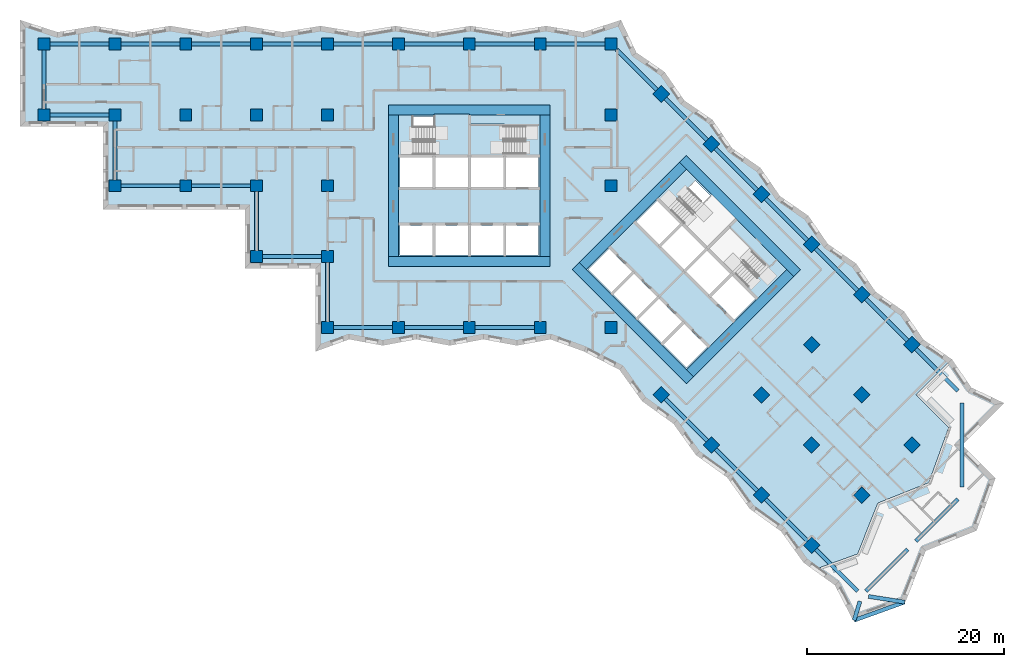
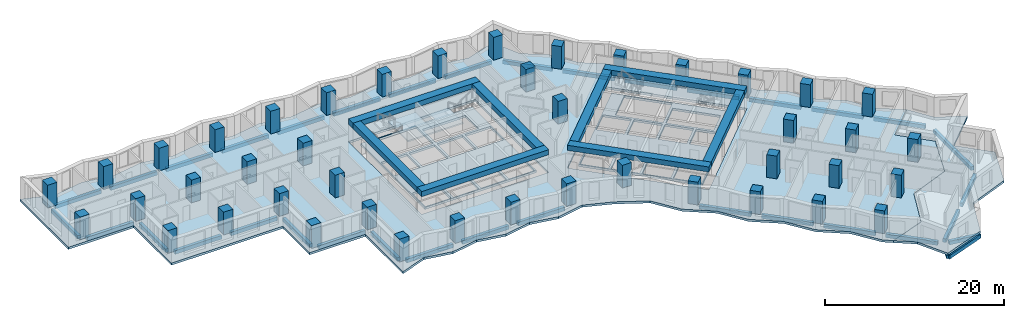
# One storey, part 1 of 13: 44 beams, 43 columns, 6 slabs, 22 openings, 2 elements without a shape of their own.
"""IFC4 building model written with IfcOpenShell, lengths in metres."""

from ifc_helpers import new_model, si_unit, direction, frame, origin, origin_2d, place, context, subcontext, project, spatial, polyline, rectangle, outline, extrude, material, layer, layer_set, material_profile, profile_set, type_object, element, aggregate, save


model = new_model("IFC4")

# Units and contexts
model_context = context("Model", 3, precision=1e-05, world=origin(), true_north=direction((0.0, 1.0)))
body_context = subcontext(model_context, "Body", "Model", "MODEL_VIEW")
ifc_project = project(units=[si_unit("LENGTHUNIT", "METRE"), si_unit("AREAUNIT", "SQUARE_METRE"), si_unit("VOLUMEUNIT", "CUBIC_METRE"), si_unit("PLANEANGLEUNIT", "RADIAN"), si_unit("MASSUNIT", "GRAM", prefix="KILO")], contexts=[model_context])

# Site, building, storey
site_placement = place(None, origin())
site = spatial("IfcSite", under=ifc_project, at=site_placement, CompositionType="ELEMENT")
building_placement = place(site_placement, origin())
building = spatial("IfcBuilding", under=site, at=building_placement, Name="Windrow Commons", CompositionType="ELEMENT")
storey_placement = place(building_placement, frame((0.0, 0.0, 64.4)))
storey = spatial("IfcBuildingStorey", under=building, at=storey_placement, Name="L17", CompositionType="ELEMENT", Elevation=64.4)

# Columns
ifc_material_1 = material(Name="Concrete C60/75", Category="concrete")
ifc_material_profile_1 = material_profile(ifc_material_1, rectangle(XDim=1.2, YDim=1.2, at=origin_2d()))
ifc_profile_set_1 = profile_set([ifc_material_profile_1], Name="Concrete C60/75")
column_type = type_object("IfcColumnType", Name="RC COLUMN 1200x1200 C60/75", PredefinedType="COLUMN", material=ifc_profile_set_1)
for number, where, z_axis, x_axis, name in (
    (1, (21.6, 64.8, 0.0), (0.0, 0.0, 1.0), (1.0, 0.0, 0.0), "C-Z1-04I"),
    (2, (21.6, 72.0, 0.0), (0.0, 0.0, 1.0), (1.0, 0.0, 0.0), "C-Z1-04J"),
    (3, (28.8, 57.6, 0.0), (0.0, 0.0, 1.0), (1.0, 0.0, 0.0), "C-Z1-05H"),
    (4, (28.8, 64.8, 0.0), (0.0, 0.0, 1.0), (1.0, 0.0, 0.0), "C-Z1-05I"),
    (5, (28.8, 72.0, 0.0), (0.0, 0.0, 1.0), (1.0, 0.0, 0.0), "C-Z1-05J"),
    (6, (36.0, 57.6, 0.0), (0.0, 0.0, 1.0), (1.0, 0.0, 0.0), "C-Z1-06H"),
    (7, (36.0, 64.8, 0.0), (0.0, 0.0, 1.0), (1.0, 0.0, 0.0), "C-Z1-06I"),
    (8, (36.0, 72.0, 0.0), (0.0, 0.0, 1.0), (1.0, 0.0, 0.0), "C-Z1-06J"),
    (9, (43.2, 50.4, 0.0), (0.0, 0.0, 1.0), (1.0, 0.0, 0.0), "C-Z1-07G"),
    (10, (43.2, 57.6, 0.0), (0.0, 0.0, 1.0), (1.0, 0.0, 0.0), "C-Z1-07H"),
    (11, (43.2, 64.8, 0.0), (0.0, 0.0, 1.0), (1.0, 0.0, 0.0), "C-Z1-07I"),
    (12, (43.2, 72.0, 0.0), (0.0, 0.0, 1.0), (1.0, 0.0, 0.0), "C-Z1-07J"),
    (13, (50.4, 43.2, 0.0), (0.0, 0.0, 1.0), (1.0, 0.0, 0.0), "C-Z1-08F"),
    (14, (50.4, 50.4, 0.0), (0.0, 0.0, 1.0), (1.0, 0.0, 0.0), "C-Z1-08G"),
    (15, (50.4, 57.6, 0.0), (0.0, 0.0, 1.0), (1.0, 0.0, 0.0), "C-Z1-08H"),
    (16, (50.4, 64.8, 0.0), (0.0, 0.0, 1.0), (1.0, 0.0, 0.0), "C-Z1-08I"),
    (17, (50.4, 72.0, 0.0), (0.0, 0.0, 1.0), (1.0, 0.0, 0.0), "C-Z1-08J"),
    (18, (57.6, 43.2, 0.0), (0.0, 0.0, 1.0), (1.0, 0.0, 0.0), "C-Z1-09F"),
    (19, (57.6, 72.0, 0.0), (0.0, 0.0, 1.0), (1.0, 0.0, 0.0), "C-Z1-09J"),
    (20, (64.8, 43.2, 0.0), (0.0, 0.0, 1.0), (1.0, 0.0, 0.0), "C-Z1-10F"),
    (21, (64.8, 72.0, 0.0), (0.0, 0.0, 1.0), (1.0, 0.0, 0.0), "C-Z1-10J"),
    (22, (72.0, 43.2, 0.0), (0.0, 0.0, 1.0), (1.0, 0.0, 0.0), "C-Z1-11F"),
    (23, (72.0, 72.0, 0.0), (0.0, 0.0, 1.0), (1.0, 0.0, 0.0), "C-Z1-11J"),
    (24, (79.2, 43.2, 0.0), (0.0, 0.0, 1.0), (1.0, 0.0, 0.0), "C-Z1-12F"),
    (25, (79.2, 57.6, 0.0), (0.0, 0.0, 1.0), (1.0, 0.0, 0.0), "C-Z1-12H"),
    (26, (79.2, 64.8, 0.0), (0.0, 0.0, 1.0), (1.0, 0.0, 0.0), "C-Z1-12I"),
    (27, (79.2, 72.0, 0.0), (0.0, 0.0, 1.0), (1.0, 0.0, 0.0), "C-Z1-12J"),
    (28, (84.2912, 66.9088, 0.0), (0.0, 0.0, 1.0), (0.7071067812, -0.7071067812, 0.0), "C-Z1-P2Q"),
    (29, (89.3823, 61.8177, 0.0), (0.0, 0.0, 1.0), (0.7071067812, -0.7071067812, 0.0), "C-Z1-P3Q"),
    (30, (94.4735, 56.7265, 0.0), (0.0, 0.0, 1.0), (0.7071067812, -0.7071067812, 0.0), "C-Z1-P4Q"),
    (31, (99.5647, 51.6353, 0.0), (0.0, 0.0, 1.0), (0.7071067812, -0.7071067812, 0.0), "C-Z1-P5Q"),
    (32, (84.2912, 36.3618, 0.0), (0.0, 0.0, 1.0), (0.7071067812, -0.7071067812, 0.0), "C-Z1-P5T"),
    (33, (104.6558, 46.5442, 0.0), (0.0, 0.0, 1.0), (0.7071067812, -0.7071067812, 0.0), "C-Z1-P6Q"),
    (34, (99.5647, 41.453, 0.0), (0.0, 0.0, 1.0), (0.7071067812, -0.7071067812, 0.0), "C-Z1-P6R"),
    (35, (94.4735, 36.3618, 0.0), (0.0, 0.0, 1.0), (0.7071067812, -0.7071067812, 0.0), "C-Z1-P6S"),
    (36, (89.3823, 31.2706, 0.0), (0.0, 0.0, 1.0), (0.7071067812, -0.7071067812, 0.0), "C-Z1-P6T"),
    (37, (109.747, 41.453, 0.0), (0.0, 0.0, 1.0), (0.7071067812, -0.7071067812, 0.0), "C-Z1-P7Q"),
    (38, (104.6558, 36.3618, 0.0), (0.0, 0.0, 1.0), (0.7071067812, -0.7071067812, 0.0), "C-Z1-P7R"),
    (39, (99.5647, 31.2706, 0.0), (0.0, 0.0, 1.0), (0.7071067812, -0.7071067812, 0.0), "C-Z1-P7S"),
    (40, (94.4735, 26.1795, 0.0), (0.0, 0.0, 1.0), (0.7071067812, -0.7071067812, 0.0), "C-Z1-P7T"),
    (41, (109.747, 31.2706, 0.0), (0.0, 0.0, 1.0), (0.7071067812, -0.7071067812, 0.0), "C-Z1-P8R"),
    (42, (104.6558, 26.1795, 0.0), (0.0, 0.0, 1.0), (0.7071067812, -0.7071067812, 0.0), "C-Z1-P8S"),
    (43, (99.5647, 21.0883, 0.0), (0.0, 0.0, 1.0), (0.7071067812, -0.7071067812, 0.0), "C-Z1-P8T"),
):
    element("IfcColumn", number, at=place(storey_placement, frame(where, z_axis=z_axis, x_axis=x_axis)), inside=storey, type_object=column_type, Name=name, PredefinedType="COLUMN", context=body_context, shape_type="SweptSolid", body=[
        extrude(rectangle(XDim=1.2, YDim=1.2, at=origin_2d()), origin(), (0.0, 0.0, 1.0), 3.1),
    ])

# Beams
ifc_material_2 = material(Name="Concrete C60/75", Category="concrete")
ifc_material_profile_2 = material_profile(ifc_material_2, rectangle(XDim=1.0, YDim=0.7, at=origin_2d()))
ifc_profile_set_2 = profile_set([ifc_material_profile_2], Name="Concrete C60/75")
beam_type_1 = type_object("IfcBeamType", Name="RC COUPLING BEAM 1000x700 C60/75", PredefinedType="LINTEL", material=ifc_profile_set_2)
for number, where, z_axis, x_axis, name in (
    (44, (56.6, 49.9, 2.75), (1.0, 0.0, 0.0), (0.0, 1.0, 0.0), "Core A coupling beam outer-S"),
    (45, (56.6, 65.3, 2.75), (1.0, 0.0, 0.0), (0.0, 1.0, 0.0), "Core A coupling beam outer-N"),
):
    element("IfcBeam", number, at=place(storey_placement, frame(where, z_axis=z_axis, x_axis=x_axis)), inside=storey, type_object=beam_type_1, Name=name, PredefinedType="LINTEL", context=body_context, shape_type="SweptSolid", body=[
        extrude(rectangle(XDim=1.0, YDim=0.7, at=origin_2d()), origin(), (0.0, 0.0, 1.0), 16.4),
    ])
for number, where, z_axis, x_axis, name in (
    (46, (57.1, 50.4, 2.75), (0.0, 1.0, 0.0), (-1.0, 0.0, 0.0), "Core A coupling beam outer-W"),
    (47, (72.5, 50.4, 2.75), (0.0, 1.0, 0.0), (-1.0, 0.0, 0.0), "Core A coupling beam outer-E"),
):
    element("IfcBeam", number, at=place(storey_placement, frame(where, z_axis=z_axis, x_axis=x_axis)), inside=storey, type_object=beam_type_1, Name=name, PredefinedType="LINTEL", context=body_context, shape_type="SweptSolid", body=[
        extrude(rectangle(XDim=1.0, YDim=0.7, at=origin_2d()), origin(), (0.0, 0.0, 1.0), 14.4),
    ])
for number, where, z_axis, x_axis, name in (
    (48, (75.5938, 49.4433, 2.75), (0.7071037324, -0.70710983, 0.0), (0.70710983, 0.7071037324, 0.0), "Core B coupling beam outer-S"),
    (49, (86.4832, 60.3327, 2.75), (0.70710983, -0.7071037324, 0.0), (0.7071037324, 0.70710983, 0.0), "Core B coupling beam outer-N"),
):
    element("IfcBeam", number, at=place(storey_placement, frame(where, z_axis=z_axis, x_axis=x_axis)), inside=storey, type_object=beam_type_1, Name=name, PredefinedType="LINTEL", context=body_context, shape_type="SweptSolid", body=[
        extrude(rectangle(XDim=1.0, YDim=0.7, at=origin_2d()), origin(), (0.0, 0.0, 1.0), 16.4),
    ])
beam_1_placement = place(storey_placement, frame((76.3009, 49.4433, 2.75), z_axis=(0.7071067812, 0.7071067812, 0.0), x_axis=(-0.7071067812, 0.7071067812, 0.0)))
element("IfcBeam", 50, at=beam_1_placement, inside=storey, type_object=beam_type_1, Name="Core B coupling beam outer-W", PredefinedType="LINTEL", context=body_context, shape_type="SweptSolid", body=[
    extrude(rectangle(XDim=1.0, YDim=0.7, at=origin_2d()), origin(), (0.0, 0.0, 1.0), 14.3999),
])
beam_2_placement = place(storey_placement, frame((87.1903, 38.5538, 2.75), z_axis=(0.707103309, 0.7071102534, 0.0), x_axis=(-0.7071102534, 0.707103309, 0.0)))
element("IfcBeam", 51, at=beam_2_placement, inside=storey, type_object=beam_type_1, Name="Core B coupling beam outer-E", PredefinedType="LINTEL", context=body_context, shape_type="SweptSolid", body=[
    extrude(rectangle(XDim=1.0, YDim=0.7, at=origin_2d()), origin(), (0.0, 0.0, 1.0), 14.4),
])
ifc_material_3 = material(Name="Concrete C60/75", Category="concrete")
ifc_material_profile_3 = material_profile(ifc_material_3, rectangle(XDim=0.4, YDim=0.5, at=origin_2d()))
ifc_profile_set_3 = profile_set([ifc_material_profile_3], Name="Concrete C60/75")
beam_type_2 = type_object("IfcBeamType", Name="RC EDGE BEAM 400x500 C60/75", PredefinedType="SPANDREL", material=ifc_profile_set_3)
beam_3_placement = place(storey_placement, frame((109.0006, 15.3109, -0.55), z_axis=(-0.9406966255, -0.3392489627, 0.0), x_axis=(0.3392489627, -0.9406966255, 0.0)))
element("IfcBeam", 52, at=beam_3_placement, inside=storey, type_object=beam_type_2, Name="Terrace base beam TR-L17-1", PredefinedType="SPANDREL", context=body_context, shape_type="SweptSolid", body=[
    extrude(rectangle(XDim=0.4, YDim=0.5, at=origin_2d()), origin(), (0.0, 0.0, 1.0), 5.4432),
])
beam_4_placement = place(storey_placement, frame((105.3392, 15.8892, -0.55), z_axis=(0.9877553084, -0.1560110599, 0.0), x_axis=(0.1560110599, 0.9877553084, 0.0)))
element("IfcBeam", 53, at=beam_4_placement, inside=storey, type_object=beam_type_2, Name="Terrace base bracket beam TR-L17-1.1", PredefinedType="SPANDREL", context=body_context, shape_type="SweptSolid", body=[
    extrude(rectangle(XDim=0.4, YDim=0.5, at=origin_2d()), origin(), (0.0, 0.0, 1.0), 3.7068),
])
beam_5_placement = place(storey_placement, frame((104.4715, 15.3953, -0.55), z_axis=(-0.2927946562, -0.9561753444, 0.0), x_axis=(0.9561753444, -0.2927946562, 0.0)))
element("IfcBeam", 54, at=beam_5_placement, inside=storey, type_object=beam_type_2, Name="Terrace base bracket beam TR-L17-1.2", PredefinedType="SPANDREL", context=body_context, shape_type="SweptSolid", body=[
    extrude(rectangle(XDim=0.4, YDim=0.5, at=origin_2d()), origin(), (0.0, 0.0, 1.0), 2.0195),
])
for number, where, z_axis, x_axis, name in (
    (55, (49.8, 50.4, -0.55), (-1.0, 0.0, 0.0), (0.0, -1.0, 0.0), "Edge beam L17 001"),
    (56, (43.2, 51.0, -0.55), (0.0, 1.0, 0.0), (-1.0, 0.0, 0.0), "Edge beam L17 002"),
    (57, (42.6, 57.6, -0.55), (-1.0, 0.0, 0.0), (0.0, -1.0, 0.0), "Edge beam L17 003"),
    (58, (35.4, 57.6, -0.55), (-1.0, 0.0, 0.0), (0.0, -1.0, 0.0), "Edge beam L17 004"),
    (59, (28.8, 58.2, -0.55), (0.0, 1.0, 0.0), (-1.0, 0.0, 0.0), "Edge beam L17 005"),
    (60, (28.2, 64.8, -0.55), (-1.0, 0.0, 0.0), (0.0, -1.0, 0.0), "Edge beam L17 006"),
    (61, (21.6, 65.4, -0.55), (0.0, 1.0, 0.0), (-1.0, 0.0, 0.0), "Edge beam L17 007"),
    (62, (22.2, 72.0, -0.55), (1.0, 0.0, 0.0), (0.0, 1.0, 0.0), "Edge beam L17 008"),
    (63, (29.4, 72.0, -0.55), (1.0, 0.0, 0.0), (0.0, 1.0, 0.0), "Edge beam L17 009"),
    (64, (36.6, 72.0, -0.55), (1.0, 0.0, 0.0), (0.0, 1.0, 0.0), "Edge beam L17 010"),
    (65, (43.8, 72.0, -0.55), (1.0, 0.0, 0.0), (0.0, 1.0, 0.0), "Edge beam L17 011"),
    (66, (51.0, 72.0, -0.55), (1.0, 0.0, 0.0), (0.0, 1.0, 0.0), "Edge beam L17 012"),
    (67, (58.2, 72.0, -0.55), (1.0, 0.0, 0.0), (0.0, 1.0, 0.0), "Edge beam L17 013"),
    (68, (65.4, 72.0, -0.55), (1.0, 0.0, 0.0), (0.0, 1.0, 0.0), "Edge beam L17 014"),
    (69, (72.6, 72.0, -0.55), (1.0, 0.0, 0.0), (0.0, 1.0, 0.0), "Edge beam L17 015"),
):
    element("IfcBeam", number, at=place(storey_placement, frame(where, z_axis=z_axis, x_axis=x_axis)), inside=storey, type_object=beam_type_2, Name=name, PredefinedType="SPANDREL", context=body_context, shape_type="SweptSolid", body=[
        extrude(rectangle(XDim=0.4, YDim=0.5, at=origin_2d()), origin(), (0.0, 0.0, 1.0), 6.0),
    ])
beam_6_placement = place(storey_placement, frame((79.8, 71.4, -0.55), z_axis=(0.7071067812, -0.7071067812, 0.0), x_axis=(0.7071067812, 0.7071067812, 0.0)))
element("IfcBeam", 70, at=beam_6_placement, inside=storey, type_object=beam_type_2, Name="Edge beam L17 016", PredefinedType="SPANDREL", context=body_context, shape_type="SweptSolid", body=[
    extrude(rectangle(XDim=0.4, YDim=0.5, at=origin_2d()), origin(), (0.0, 0.0, 1.0), 5.7515),
])
beam_7_placement = place(storey_placement, frame((84.7155, 66.4845, -0.55), z_axis=(0.7071067812, -0.7071067812, 0.0), x_axis=(0.7071067812, 0.7071067812, 0.0)))
element("IfcBeam", 71, at=beam_7_placement, inside=storey, type_object=beam_type_2, Name="Edge beam L17 017", PredefinedType="SPANDREL", context=body_context, shape_type="SweptSolid", body=[
    extrude(rectangle(XDim=0.4, YDim=0.5, at=origin_2d()), origin(), (0.0, 0.0, 1.0), 5.9998),
])
for number, where, z_axis, x_axis, name in (
    (72, (89.8066, 61.3934, -0.55), (0.7071067812, -0.7071067812, 0.0), (0.7071067812, 0.7071067812, 0.0), "Edge beam L17 018"),
    (73, (94.8978, 56.3022, -0.55), (0.7071067812, -0.7071067812, 0.0), (0.7071067812, 0.7071067812, 0.0), "Edge beam L17 019"),
):
    element("IfcBeam", number, at=place(storey_placement, frame(where, z_axis=z_axis, x_axis=x_axis)), inside=storey, type_object=beam_type_2, Name=name, PredefinedType="SPANDREL", context=body_context, shape_type="SweptSolid", body=[
        extrude(rectangle(XDim=0.4, YDim=0.5, at=origin_2d()), origin(), (0.0, 0.0, 1.0), 5.9999),
    ])
beam_8_placement = place(storey_placement, frame((99.989, 51.211, -0.55), z_axis=(0.7071067812, -0.7071067812, 0.0), x_axis=(0.7071067812, 0.7071067812, 0.0)))
element("IfcBeam", 74, at=beam_8_placement, inside=storey, type_object=beam_type_2, Name="Edge beam L17 020", PredefinedType="SPANDREL", context=body_context, shape_type="SweptSolid", body=[
    extrude(rectangle(XDim=0.4, YDim=0.5, at=origin_2d()), origin(), (0.0, 0.0, 1.0), 5.9998),
])
for number, where, z_axis, x_axis, name in (
    (75, (105.0801, 46.1199, -0.55), (0.7071067812, -0.7071067812, 0.0), (0.7071067812, 0.7071067812, 0.0), "Edge beam L17 021"),
    (76, (110.1713, 41.0287, -0.55), (0.7071067812, -0.7071067812, 0.0), (0.7071067812, 0.7071067812, 0.0), "Edge beam L17 022"),
):
    element("IfcBeam", number, at=place(storey_placement, frame(where, z_axis=z_axis, x_axis=x_axis)), inside=storey, type_object=beam_type_2, Name=name, PredefinedType="SPANDREL", context=body_context, shape_type="SweptSolid", body=[
        extrude(rectangle(XDim=0.4, YDim=0.5, at=origin_2d()), origin(), (0.0, 0.0, 1.0), 5.9999),
    ])
beam_9_placement = place(storey_placement, frame((114.8382, 35.5133, -0.55), z_axis=(0.0, -1.0, 0.0), x_axis=(1.0, 0.0, 0.0)))
element("IfcBeam", 77, at=beam_9_placement, inside=storey, type_object=beam_type_2, Name="Edge beam L17 023", PredefinedType="SPANDREL", context=body_context, shape_type="SweptSolid", body=[
    extrude(rectangle(XDim=0.4, YDim=0.5, at=origin_2d()), origin(), (0.0, 0.0, 1.0), 8.4853),
])
for number, where, z_axis, x_axis, name in (
    (78, (114.4139, 25.7552, -0.55), (-0.7071067812, -0.7071067812, 0.0), (0.7071067812, -0.7071067812, 0.0), "Edge beam L17 024"),
    (79, (109.3227, 20.664, -0.55), (-0.7071067812, -0.7071067812, 0.0), (0.7071067812, -0.7071067812, 0.0), "Edge beam L17 025"),
    (80, (104.2315, 16.4214, -0.55), (-0.7070984476, 0.7071151146, 0.0), (-0.7071151146, -0.7070984476, 0.0), "Edge beam L17 026"),
    (81, (99.1404, 21.5126, -0.55), (-0.7071067812, 0.7071067812, 0.0), (-0.7071067812, -0.7071067812, 0.0), "Edge beam L17 027"),
    (82, (94.0492, 26.6038, -0.55), (-0.7071151146, 0.7070984476, 0.0), (-0.7070984476, -0.7071151146, 0.0), "Edge beam L17 028"),
    (83, (88.958, 31.6949, -0.55), (-0.7070984476, 0.7071151146, 0.0), (-0.7071151146, -0.7070984476, 0.0), "Edge beam L17 029"),
):
    element("IfcBeam", number, at=place(storey_placement, frame(where, z_axis=z_axis, x_axis=x_axis)), inside=storey, type_object=beam_type_2, Name=name, PredefinedType="SPANDREL", context=body_context, shape_type="SweptSolid", body=[
        extrude(rectangle(XDim=0.4, YDim=0.5, at=origin_2d()), origin(), (0.0, 0.0, 1.0), 5.9999),
    ])
for number, where, z_axis, x_axis, name in (
    (84, (71.4, 43.2, -0.55), (-1.0, 0.0, 0.0), (0.0, -1.0, 0.0), "Edge beam L17 030"),
    (85, (64.2, 43.2, -0.55), (-1.0, 0.0, 0.0), (0.0, -1.0, 0.0), "Edge beam L17 031"),
    (86, (57.0, 43.2, -0.55), (-1.0, 0.0, 0.0), (0.0, -1.0, 0.0), "Edge beam L17 032"),
    (87, (50.4, 43.8, -0.55), (0.0, 1.0, 0.0), (-1.0, 0.0, 0.0), "Edge beam L17 033"),
):
    element("IfcBeam", number, at=place(storey_placement, frame(where, z_axis=z_axis, x_axis=x_axis)), inside=storey, type_object=beam_type_2, Name=name, PredefinedType="SPANDREL", context=body_context, shape_type="SweptSolid", body=[
        extrude(rectangle(XDim=0.4, YDim=0.5, at=origin_2d()), origin(), (0.0, 0.0, 1.0), 6.0),
    ])

# Slab, openings
ifc_material_4 = material(Name="Concrete C60/75", Category="concrete")
ifc_layer_1 = layer(ifc_material_4, 0.3)
ifc_layer_set_1 = layer_set([ifc_layer_1], Name="CORE FLOOR SLAB 300 C60/75")
slab_type_1 = type_object("IfcSlabType", Name="CORE FLOOR SLAB 300 C60/75", PredefinedType="FLOOR", material=ifc_layer_set_1)
placement_1 = place(storey_placement, frame((0.0, 0.0, -0.3)))
slab_1 = element("IfcSlab", 88, at=placement_1, inside=storey, type_object=slab_type_1, Name="S-L17-core-A", PredefinedType="FLOOR", context=body_context, shape_type="SweptSolid", body=[
    extrude(outline(polyline([(57.6, 50.4), (72.0, 50.4), (72.0, 64.8), (57.6, 64.8), (57.6, 50.4)]), holes=[polyline([(57.75, 50.55), (61.05, 50.55), (61.05, 53.55), (57.75, 53.55), (57.75, 50.55)]), polyline([(61.35, 50.55), (64.65, 50.55), (64.65, 53.55), (61.35, 53.55), (61.35, 50.55)]), polyline([(64.95, 50.55), (68.25, 50.55), (68.25, 53.55), (64.95, 53.55), (64.95, 50.55)]), polyline([(68.55, 50.55), (71.85, 50.55), (71.85, 53.55), (68.55, 53.55), (68.55, 50.55)]), polyline([(57.75, 57.45), (61.05, 57.45), (61.05, 60.45), (57.75, 60.45), (57.75, 57.45)]), polyline([(61.35, 57.45), (64.65, 57.45), (64.65, 60.45), (61.35, 60.45), (61.35, 57.45)]), polyline([(64.95, 57.45), (68.25, 57.45), (68.25, 60.45), (64.95, 60.45), (64.95, 57.45)]), polyline([(68.55, 57.45), (71.85, 57.45), (71.85, 60.45), (68.55, 60.45), (68.55, 57.45)]), polyline([(59.1, 60.75), (64.65, 60.75), (64.65, 64.65), (59.1, 64.65), (59.1, 60.75)]), polyline([(64.95, 60.75), (70.5, 60.75), (70.5, 63.705), (64.95, 63.705), (64.95, 60.75)])]), origin(), (0.0, 0.0, 1.0), 0.3),
])
opening_1_placement = place(placement_1, origin())
element("IfcOpeningElement", 89, at=opening_1_placement, cuts=slab_1, Name="Slab opening S-L17-core-A 1", PredefinedType="OPENING", context=body_context, shape_type="SweptSolid", body=[
    extrude(outline(polyline([(57.755, 50.555), (57.755, 53.545), (61.045, 53.545), (61.045, 50.555), (57.755, 50.555)])), origin(), (0.0, 0.0, 1.0), 0.3),
])
opening_2_placement = place(placement_1, origin())
element("IfcOpeningElement", 90, at=opening_2_placement, cuts=slab_1, Name="Slab opening S-L17-core-A 2", PredefinedType="OPENING", context=body_context, shape_type="SweptSolid", body=[
    extrude(outline(polyline([(61.355, 50.555), (61.355, 53.545), (64.645, 53.545), (64.645, 50.555), (61.355, 50.555)])), origin(), (0.0, 0.0, 1.0), 0.3),
])
opening_3_placement = place(placement_1, origin())
element("IfcOpeningElement", 91, at=opening_3_placement, cuts=slab_1, Name="Slab opening S-L17-core-A 3", PredefinedType="OPENING", context=body_context, shape_type="SweptSolid", body=[
    extrude(outline(polyline([(64.955, 50.555), (64.955, 53.545), (68.245, 53.545), (68.245, 50.555), (64.955, 50.555)])), origin(), (0.0, 0.0, 1.0), 0.3),
])
opening_4_placement = place(placement_1, origin())
element("IfcOpeningElement", 92, at=opening_4_placement, cuts=slab_1, Name="Slab opening S-L17-core-A 4", PredefinedType="OPENING", context=body_context, shape_type="SweptSolid", body=[
    extrude(outline(polyline([(68.555, 50.555), (68.555, 53.545), (71.845, 53.545), (71.845, 50.555), (68.555, 50.555)])), origin(), (0.0, 0.0, 1.0), 0.3),
])
opening_5_placement = place(placement_1, origin())
element("IfcOpeningElement", 93, at=opening_5_placement, cuts=slab_1, Name="Slab opening S-L17-core-A 5", PredefinedType="OPENING", context=body_context, shape_type="SweptSolid", body=[
    extrude(outline(polyline([(57.755, 57.455), (57.755, 60.445), (61.045, 60.445), (61.045, 57.455), (57.755, 57.455)])), origin(), (0.0, 0.0, 1.0), 0.3),
])
opening_6_placement = place(placement_1, origin())
element("IfcOpeningElement", 94, at=opening_6_placement, cuts=slab_1, Name="Slab opening S-L17-core-A 6", PredefinedType="OPENING", context=body_context, shape_type="SweptSolid", body=[
    extrude(outline(polyline([(61.355, 57.455), (61.355, 60.445), (64.645, 60.445), (64.645, 57.455), (61.355, 57.455)])), origin(), (0.0, 0.0, 1.0), 0.3),
])
opening_7_placement = place(placement_1, origin())
element("IfcOpeningElement", 95, at=opening_7_placement, cuts=slab_1, Name="Slab opening S-L17-core-A 7", PredefinedType="OPENING", context=body_context, shape_type="SweptSolid", body=[
    extrude(outline(polyline([(64.955, 57.455), (64.955, 60.445), (68.245, 60.445), (68.245, 57.455), (64.955, 57.455)])), origin(), (0.0, 0.0, 1.0), 0.3),
])
opening_8_placement = place(placement_1, origin())
element("IfcOpeningElement", 96, at=opening_8_placement, cuts=slab_1, Name="Slab opening S-L17-core-A 8", PredefinedType="OPENING", context=body_context, shape_type="SweptSolid", body=[
    extrude(outline(polyline([(68.555, 57.455), (68.555, 60.445), (71.845, 60.445), (71.845, 57.455), (68.555, 57.455)])), origin(), (0.0, 0.0, 1.0), 0.3),
])
opening_9_placement = place(placement_1, origin())
element("IfcOpeningElement", 97, at=opening_9_placement, cuts=slab_1, Name="Slab opening S-L17-core-A 9", PredefinedType="OPENING", context=body_context, shape_type="SweptSolid", body=[
    extrude(outline(polyline([(59.105, 60.755), (59.105, 64.645), (64.645, 64.645), (64.645, 60.755), (59.105, 60.755)])), origin(), (0.0, 0.0, 1.0), 0.3),
])
opening_10_placement = place(placement_1, origin())
element("IfcOpeningElement", 98, at=opening_10_placement, cuts=slab_1, Name="Slab opening S-L17-core-A 10", PredefinedType="OPENING", context=body_context, shape_type="SweptSolid", body=[
    extrude(outline(polyline([(64.955, 60.755), (64.955, 63.7), (70.495, 63.7), (70.495, 60.755), (64.955, 60.755)])), origin(), (0.0, 0.0, 1.0), 0.3),
])

slab_2 = element("IfcSlab", 99, at=placement_1, inside=storey, type_object=slab_type_1, Name="S-L17-core-B", PredefinedType="FLOOR", context=body_context, shape_type="SweptSolid", body=[
    extrude(outline(polyline([(76.6544, 49.0897), (86.8368, 38.9074), (97.0191, 49.0897), (86.8368, 59.2721), (76.6544, 49.0897)]), holes=[polyline([(76.8665, 49.0897), (79.2, 46.7563), (81.3213, 48.8776), (78.9879, 51.2111), (76.8665, 49.0897)]), polyline([(79.4121, 46.5442), (81.7456, 44.2107), (83.8669, 46.332), (81.5335, 48.6655), (79.4121, 46.5442)]), polyline([(81.9577, 43.9986), (84.2912, 41.6651), (86.4125, 43.7864), (84.079, 46.1199), (81.9577, 43.9986)]), polyline([(84.5033, 41.453), (86.8368, 39.1195), (88.9581, 41.2409), (86.6246, 43.5743), (84.5033, 41.453)]), polyline([(81.7456, 53.9688), (84.079, 51.6353), (86.2004, 53.7566), (83.8669, 56.0901), (81.7456, 53.9688)]), polyline([(84.2912, 51.4232), (86.6246, 49.0897), (88.7459, 51.2111), (86.4125, 53.5445), (84.2912, 51.4232)]), polyline([(86.8368, 48.8776), (89.1702, 46.5442), (91.2915, 48.6655), (88.9581, 50.9989), (86.8368, 48.8776)]), polyline([(89.3823, 46.332), (91.7158, 43.9986), (93.8371, 46.1199), (91.5037, 48.4533), (89.3823, 46.332)]), polyline([(85.0336, 55.3476), (88.9581, 51.4232), (91.7158, 54.1809), (87.7913, 58.1054), (85.0336, 55.3476)]), polyline([(89.1702, 51.2111), (93.0946, 47.2866), (95.1841, 49.3761), (91.2597, 53.3006), (89.1702, 51.2111)])]), origin(), (0.0, 0.0, 1.0), 0.3),
])
opening_11_placement = place(placement_1, origin())
element("IfcOpeningElement", 100, at=opening_11_placement, cuts=slab_2, Name="Slab opening S-L17-core-B 1", PredefinedType="OPENING", context=body_context, shape_type="SweptSolid", body=[
    extrude(outline(polyline([(76.8736, 49.0897), (78.9879, 51.204), (81.3142, 48.8776), (79.2, 46.7634), (76.8736, 49.0897)])), origin(), (0.0, 0.0, 1.0), 0.3),
])
opening_12_placement = place(placement_1, origin())
element("IfcOpeningElement", 101, at=opening_12_placement, cuts=slab_2, Name="Slab opening S-L17-core-B 2", PredefinedType="OPENING", context=body_context, shape_type="SweptSolid", body=[
    extrude(outline(polyline([(79.4192, 46.5442), (81.5335, 48.6584), (83.8598, 46.332), (81.7456, 44.2178), (79.4192, 46.5442)])), origin(), (0.0, 0.0, 1.0), 0.3),
])
opening_13_placement = place(placement_1, origin())
element("IfcOpeningElement", 102, at=opening_13_placement, cuts=slab_2, Name="Slab opening S-L17-core-B 3", PredefinedType="OPENING", context=body_context, shape_type="SweptSolid", body=[
    extrude(outline(polyline([(81.9648, 43.9986), (84.079, 46.1128), (86.4054, 43.7864), (84.2912, 41.6722), (81.9648, 43.9986)])), origin(), (0.0, 0.0, 1.0), 0.3),
])
opening_14_placement = place(placement_1, origin())
element("IfcOpeningElement", 103, at=opening_14_placement, cuts=slab_2, Name="Slab opening S-L17-core-B 4", PredefinedType="OPENING", context=body_context, shape_type="SweptSolid", body=[
    extrude(outline(polyline([(84.5104, 41.453), (86.6246, 43.5672), (88.951, 41.2409), (86.8368, 39.1266), (84.5104, 41.453)])), origin(), (0.0, 0.0, 1.0), 0.3),
])
opening_15_placement = place(placement_1, origin())
element("IfcOpeningElement", 104, at=opening_15_placement, cuts=slab_2, Name="Slab opening S-L17-core-B 5", PredefinedType="OPENING", context=body_context, shape_type="SweptSolid", body=[
    extrude(outline(polyline([(81.7527, 53.9688), (83.8669, 56.083), (86.1933, 53.7566), (84.079, 51.6424), (81.7527, 53.9688)])), origin(), (0.0, 0.0, 1.0), 0.3),
])
opening_16_placement = place(placement_1, origin())
element("IfcOpeningElement", 105, at=opening_16_placement, cuts=slab_2, Name="Slab opening S-L17-core-B 6", PredefinedType="OPENING", context=body_context, shape_type="SweptSolid", body=[
    extrude(outline(polyline([(84.2983, 51.4232), (86.4125, 53.5374), (88.7388, 51.2111), (86.6246, 49.0968), (84.2983, 51.4232)])), origin(), (0.0, 0.0, 1.0), 0.3),
])
opening_17_placement = place(placement_1, origin())
element("IfcOpeningElement", 106, at=opening_17_placement, cuts=slab_2, Name="Slab opening S-L17-core-B 7", PredefinedType="OPENING", context=body_context, shape_type="SweptSolid", body=[
    extrude(outline(polyline([(86.8439, 48.8776), (88.9581, 50.9918), (91.2844, 48.6655), (89.1702, 46.5513), (86.8439, 48.8776)])), origin(), (0.0, 0.0, 1.0), 0.3),
])
opening_18_placement = place(placement_1, origin())
element("IfcOpeningElement", 107, at=opening_18_placement, cuts=slab_2, Name="Slab opening S-L17-core-B 8", PredefinedType="OPENING", context=body_context, shape_type="SweptSolid", body=[
    extrude(outline(polyline([(89.3894, 46.332), (91.5037, 48.4462), (93.83, 46.1199), (91.7158, 44.0057), (89.3894, 46.332)])), origin(), (0.0, 0.0, 1.0), 0.3),
])
opening_19_placement = place(placement_1, origin())
element("IfcOpeningElement", 108, at=opening_19_placement, cuts=slab_2, Name="Slab opening S-L17-core-B 9", PredefinedType="OPENING", context=body_context, shape_type="SweptSolid", body=[
    extrude(outline(polyline([(85.0407, 55.3476), (87.7913, 58.0983), (91.7087, 54.1809), (88.9581, 51.4303), (85.0407, 55.3476)])), origin(), (0.0, 0.0, 1.0), 0.3),
])
opening_20_placement = place(placement_1, origin())
element("IfcOpeningElement", 109, at=opening_20_placement, cuts=slab_2, Name="Slab opening S-L17-core-B 10", PredefinedType="OPENING", context=body_context, shape_type="SweptSolid", body=[
    extrude(outline(polyline([(89.1773, 51.2111), (91.2597, 53.2935), (95.177, 49.3761), (93.0946, 47.2937), (89.1773, 51.2111)])), origin(), (0.0, 0.0, 1.0), 0.3),
])

# Stair, slab
ifc_material_5 = material(Name="Concrete C40/50", Category="concrete")
stair_type = type_object("IfcStairType", Name="Core stair", PredefinedType="HALF_TURN_STAIR", material=ifc_material_5)
placement_2 = place(storey_placement, origin())
stair_1 = element("IfcStair", 110, at=placement_2, inside=storey, type_object=stair_type, Name="L17 Exit stair A1 core A", PredefinedType="HALF_TURN_STAIR")
ifc_material_6 = material(Name="Concrete C40/50", Category="concrete")
ifc_layer_2 = layer(ifc_material_6, 0.2)
ifc_layer_set_2 = layer_set([ifc_layer_2], Name="Core stair landing")
slab_type_2 = type_object("IfcSlabType", Name="Core stair landing", PredefinedType="LANDING", material=ifc_layer_set_2)
placement_3 = place(storey_placement, frame((0.0, 0.0, 1.5)))
slab_3 = element("IfcSlab", 111, at=placement_3, type_object=slab_type_2, Name="ST-A1 landing 1", PredefinedType="LANDING", context=body_context, shape_type="SweptSolid", body=[
    extrude(outline(polyline([(61.22, 60.5), (64.8, 60.5), (64.8, 64.9), (61.22, 64.9), (61.22, 60.5)])), origin(), (0.0, 0.0, 1.0), 0.2),
])
aggregate(stair_1, [slab_3])

stair_2 = element("IfcStair", 112, at=placement_2, inside=storey, type_object=stair_type, Name="L17 Exit stair A2 core A", PredefinedType="HALF_TURN_STAIR")
slab_4 = element("IfcSlab", 113, at=placement_3, type_object=slab_type_2, Name="ST-A2 landing 1", PredefinedType="LANDING", context=body_context, shape_type="SweptSolid", body=[
    extrude(outline(polyline([(64.8, 60.5), (68.38, 60.5), (68.38, 63.855), (64.8, 63.855), (64.8, 60.5)])), origin(), (0.0, 0.0, 1.0), 0.2),
])
aggregate(stair_2, [slab_4])

# Slab, openings
ifc_material_7 = material(Name="Concrete C60/75", Category="concrete")
ifc_layer_3 = layer(ifc_material_7, 0.3)
ifc_layer_set_3 = layer_set([ifc_layer_3], Name="FLOOR SLAB 300 C60/75")
slab_type_3 = type_object("IfcSlabType", Name="FLOOR SLAB 300 C60/75", PredefinedType="FLOOR", material=ifc_layer_set_3)
slab_5 = element("IfcSlab", 114, at=placement_1, inside=storey, type_object=slab_type_3, Name="S-L17-floor", PredefinedType="FLOOR", context=body_context, shape_type="SweptSolid", body=[
    extrude(outline(polyline([(90.9875, 27.9684), (93.2757, 24.7893), (96.4548, 22.5011), (98.743, 19.322), (99.763, 18.5878), (104.2324, 20.1996), (106.2904, 25.3722), (111.463, 27.4303), (111.7253, 28.1576), (113.1452, 32.0947), (113.3755, 32.7333), (113.4879, 33.0451), (110.1713, 36.3618), (113.7957, 39.9862), (113.8155, 39.9726), (110.9388, 41.9583), (108.9532, 44.8349), (106.0765, 46.8206), (104.0908, 49.6972), (101.2142, 51.6829), (99.2285, 54.5595), (96.3519, 56.5452), (94.3662, 59.4218), (91.4896, 61.4075), (89.5039, 64.2841), (86.6273, 66.2698), (84.6416, 69.1464), (81.765, 71.1321), (80.2036, 74.433), (76.3888, 73.2), (72.574, 73.833), (68.7592, 73.2), (64.9444, 73.833), (61.1297, 73.2), (57.3149, 73.833), (53.5001, 73.2), (49.6853, 73.833), (45.8705, 73.2), (42.0557, 73.833), (38.2409, 73.2), (34.4261, 73.833), (30.6114, 73.2), (26.7966, 73.833), (22.9818, 73.2), (19.167, 74.433), (19.167, 63.6), (27.6, 63.6), (27.6, 55.167), (42.0, 55.167), (42.0, 49.2), (49.2, 49.2), (49.2, 40.767), (52.6062, 42.0), (56.0124, 41.367), (59.4185, 42.0), (62.8247, 41.367), (66.2309, 42.0), (69.6371, 41.367), (73.0432, 42.0), (76.4494, 40.767), (80.0528, 38.9031), (82.341, 35.7239), (85.5202, 33.4357), (87.8083, 30.2566), (90.9875, 27.9684)]), holes=[polyline([(98.4333, 49.0897), (86.8368, 37.4932), (75.2402, 49.0897), (86.8368, 60.6863), (98.4333, 49.0897)]), polyline([(73.0, 65.8), (73.0, 49.4), (56.6, 49.4), (56.6, 65.8), (73.0, 65.8)])]), origin(), (0.0, 0.0, 1.0), 0.3),
])
opening_21_placement = place(placement_1, origin())
element("IfcOpeningElement", 115, at=opening_21_placement, cuts=slab_5, Name="Slab opening S-L17-floor 1", PredefinedType="OPENING", context=body_context, shape_type="SweptSolid", body=[
    extrude(outline(polyline([(98.4262, 49.0897), (86.8368, 37.5003), (75.2473, 49.0897), (86.8368, 60.6792), (98.4262, 49.0897)])), origin(), (0.0, 0.0, 1.0), 0.3),
])
opening_22_placement = place(placement_1, origin())
element("IfcOpeningElement", 116, at=opening_22_placement, cuts=slab_5, Name="Slab opening S-L17-floor 2", PredefinedType="OPENING", context=body_context, shape_type="SweptSolid", body=[
    extrude(outline(polyline([(72.995, 65.795), (72.995, 49.405), (56.605, 49.405), (56.605, 65.795), (72.995, 65.795)])), origin(), (0.0, 0.0, 1.0), 0.3),
])

# Slab
ifc_material_8 = material(Name="Concrete C60/75", Category="concrete")
ifc_layer_4 = layer(ifc_material_8, 0.3)
ifc_layer_set_4 = layer_set([ifc_layer_4], Name="TERRACE SLAB 300 C60/75")
slab_type_4 = type_object("IfcSlabType", Name="TERRACE SLAB 300 C60/75", PredefinedType="FLOOR", material=ifc_layer_set_4)
element("IfcSlab", 117, at=placement_1, inside=storey, type_object=slab_type_4, Name="Terrace slab TR-L17-1", PredefinedType="FLOOR", context=body_context, shape_type="SweptSolid", body=[
    extrude(outline(polyline([(104.2324, 20.1996), (99.763, 18.5878), (101.9221, 17.0338), (103.7861, 13.4304), (109.0947, 15.3448), (111.1506, 20.512), (116.3178, 22.5679), (118.2323, 27.8765), (114.8382, 31.2706), (119.102, 35.5346), (115.8011, 37.096), (114.6528, 38.7596), (113.8155, 39.9726), (113.7957, 39.9862), (110.1713, 36.3618), (113.4879, 33.0451), (113.3755, 32.7333), (113.1452, 32.0947), (111.7253, 28.1576), (111.463, 27.4303), (106.2904, 25.3722), (104.2324, 20.1996)])), origin(), (0.0, 0.0, 1.0), 0.3),
])

save(model, "model.ifc")
